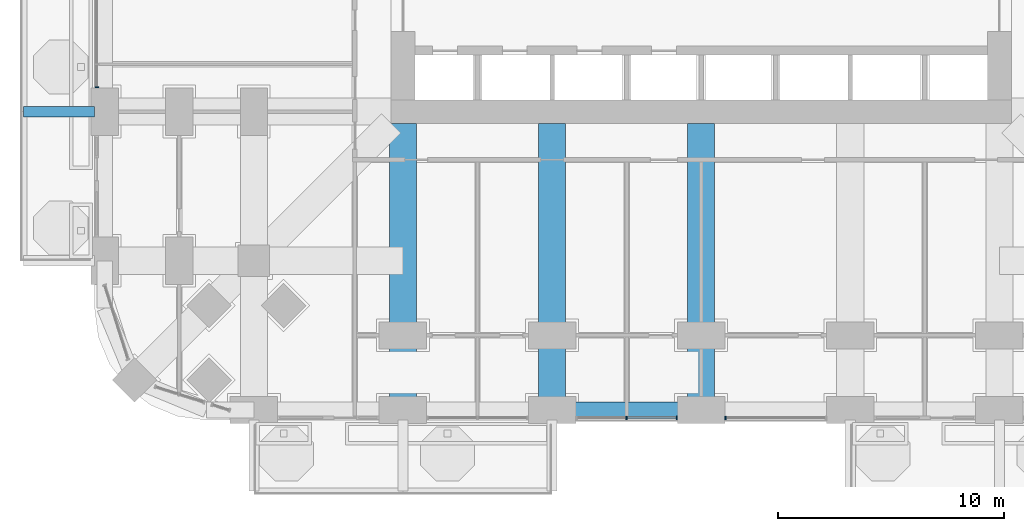
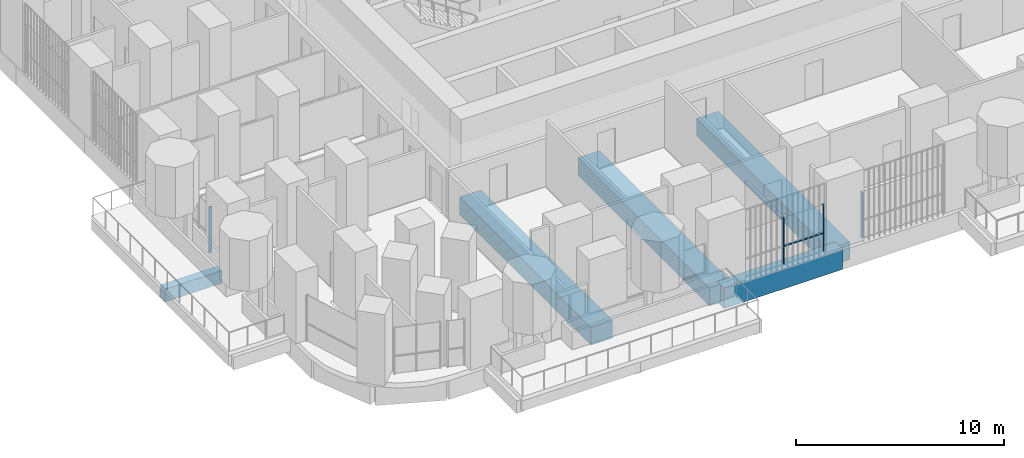
# One storey, part 3 of 27: 5 beams, 5 members, 3 elements without a shape of their own.
"""IFC4 building model written with IfcOpenShell, lengths in metres."""

import ifcopenshell
import ifcopenshell.guid

model = None  # the IFC model being written
_history = None  # IfcOwnerHistory: only IFC2X3 demands one
_inside = {}  # id of a spatial element -> (the spatial element, [elements in it])
_under = {}  # id of a project, library or spatial element -> (it, [spatial elements below it])
_declared = {}  # id of a project -> (the project, [libraries it declares])
_typed = {}  # id of a type object -> (the type object, [elements of that type])
_made_of = {}  # id of a material, layer set ... -> (it, [elements and type objects made of it])


def new_model(schema):
    """Start an empty IFC model of exactly this schema.

    Asked for "IFC4X3", IfcOpenShell would pick the latest addendum, in which some entities
    have other attributes; the version numbers below select the first issue.
    IFC2X3 requires an IfcOwnerHistory on every rooted entity: one is made here for all.
    """
    global model, _history
    if schema == "IFC4X3":
        model = ifcopenshell.file(schema_version=(4, 3, 0, 0))
    else:
        model = ifcopenshell.file(schema=schema)
    _inside.clear()
    _under.clear()
    _declared.clear()
    _typed.clear()
    _made_of.clear()
    _history = None
    if model.schema == "IFC2X3":
        org = make("IfcOrganization", Name="unknown")
        user = make(
            "IfcPersonAndOrganization",
            ThePerson=make("IfcPerson", FamilyName="unknown"),
            TheOrganization=org,
        )
        app = make(
            "IfcApplication",
            ApplicationDeveloper=org,
            Version="unknown",
            ApplicationFullName="unknown",
            ApplicationIdentifier="unknown",
        )
        _history = make(
            "IfcOwnerHistory",
            OwningUser=user,
            OwningApplication=app,
            ChangeAction="ADDED",
            CreationDate=0,
        )
    return model


def make(cls, **values):
    """One entity of the class cls with the attributes given. An attribute that is None is left unset."""
    return model.create_entity(
        cls, **{name: value for name, value in values.items() if value is not None}
    )


def rooted(cls, **values):
    """An entity with a GlobalId (a new one), such as an element, a storey or a relation."""
    return make(cls, GlobalId=ifcopenshell.guid.new(), OwnerHistory=_history, **values)


def si_unit(unit_type, name, prefix=None):
    """IfcSIUnit, for example si_unit("LENGTHUNIT", "METRE", prefix="MILLI")."""
    return make("IfcSIUnit", UnitType=unit_type, Prefix=prefix, Name=name)


def assignment(units):
    """IfcUnitAssignment: the units of a project."""
    return None if units is None else make("IfcUnitAssignment", Units=units)


def point(xyz):
    """IfcCartesianPoint."""
    return None if xyz is None else make("IfcCartesianPoint", Coordinates=xyz)


def direction(xyz):
    """IfcDirection."""
    return None if xyz is None else make("IfcDirection", DirectionRatios=xyz)


def frame(location, z_axis=None, x_axis=None):
    """IfcAxis2Placement3D, a coordinate frame: its origin and axes. An axis left out is left unset."""
    return make(
        "IfcAxis2Placement3D",
        Location=point(location),
        Axis=direction(z_axis),
        RefDirection=direction(x_axis),
    )


def frame_2d(location, x_axis=None):
    """IfcAxis2Placement2D, a coordinate frame in the plane: its origin and x axis."""
    return make(
        "IfcAxis2Placement2D", Location=point(location), RefDirection=direction(x_axis)
    )


def origin():
    """The frame at (0, 0, 0) with its axes left unset."""
    return frame((0.0, 0.0, 0.0))


def origin_2d():
    """The frame at (0, 0) in the plane with its x axis left unset."""
    return frame_2d((0.0, 0.0))


def place(relative_to, where):
    """IfcLocalPlacement: puts the frame where relative to a parent placement (None: the world)."""
    return make(
        "IfcLocalPlacement", PlacementRelTo=relative_to, RelativePlacement=where
    )


def context(
    kind, dimensions, precision=None, world=None, true_north=None, identifier=None
):
    """IfcGeometricRepresentationContext, for example the 3D "Model" context."""
    return make(
        "IfcGeometricRepresentationContext",
        ContextIdentifier=identifier,
        ContextType=kind,
        CoordinateSpaceDimension=dimensions,
        Precision=precision,
        WorldCoordinateSystem=world,
        TrueNorth=true_north,
    )


def subcontext(parent, identifier, kind, view, scale=None):
    """IfcGeometricRepresentationSubContext, for example "Body" below "Model"."""
    return make(
        "IfcGeometricRepresentationSubContext",
        ContextIdentifier=identifier,
        ContextType=kind,
        ParentContext=parent,
        TargetScale=scale,
        TargetView=view,
    )


def project(units=None, contexts=None):
    """IfcProject with its units and contexts."""
    return rooted(
        "IfcProject",
        Name="project",
        RepresentationContexts=contexts,
        UnitsInContext=assignment(units),
    )


def spatial(cls, under=None, at=None, **own):
    """A site, building, storey or space (cls), placed at a placement, below another one or the project."""
    s = rooted(cls, ObjectPlacement=at, **own)
    if under is not None:
        _under.setdefault(under.id(), (under, []))[1].append(s)
    return s


def profile(cls, at=None, kind="AREA", **sizes):
    """A parametric profile (cls). Its sizes go by their IFC names, for example OverallWidth=200.0."""
    return make(cls, ProfileType=kind, Position=at, **sizes)


def rectangle(**sizes):
    """IfcRectangleProfileDef."""
    return profile("IfcRectangleProfileDef", **sizes)


def extrude(swept, where, along, depth):
    """IfcExtrudedAreaSolid: the profile swept, set in the frame where, extruded along a direction by depth."""
    return make(
        "IfcExtrudedAreaSolid",
        SweptArea=swept,
        Position=where,
        ExtrudedDirection=direction(along),
        Depth=depth,
    )


def shape(context_of_items, identifier, shape_type, items):
    """IfcShapeRepresentation: the items that make up one representation, for example the "Body"."""
    return make(
        "IfcShapeRepresentation",
        ContextOfItems=context_of_items,
        RepresentationIdentifier=identifier,
        RepresentationType=shape_type,
        Items=items,
    )


def material(Name=None, Category=None):
    """IfcMaterial."""
    return make("IfcMaterial", Name=Name, Category=Category)


def material_profile(
    of_material, cross_section, Name=None, Category=None, Priority=None
):
    """IfcMaterialProfile: a cross section and its material."""
    return make(
        "IfcMaterialProfile",
        Name=Name,
        Material=of_material,
        Profile=cross_section,
        Priority=Priority,
        Category=Category,
    )


def profile_set(profiles, Name=None, composite=None):
    """IfcMaterialProfileSet."""
    return make(
        "IfcMaterialProfileSet",
        Name=Name,
        MaterialProfiles=profiles,
        CompositeProfile=composite,
    )


def made_of(thing, what):
    """Note that an element or type object is made of a material, layer set ...; save() writes the relation."""
    if what is not None:
        _made_of.setdefault(what.id(), (what, []))[1].append(thing)
    return thing


def type_object(cls, material=None, **own):
    """A type object (cls), such as IfcWallType, which elements share."""
    return made_of(rooted(cls, **own), material)


def element(
    cls,
    number,
    at=None,
    inside=None,
    cuts=None,
    type_object=None,
    material=None,
    context=None,
    identifier="Body",
    shape_type=None,
    held_by="IfcProductDefinitionShape",
    body=None,
    shapes=None,
    **own,
):
    """One element of the class cls, such as IfcWall. Its Tag is "e" and its number.

    at: its placement. inside: the storey or other place that contains it. cuts: it is an
    opening in that element (IfcRelVoidsElement). A single representation is given by context,
    identifier, shape_type and body (its items); several are given by shapes. held_by: the class
    of the entity that holds the representations. save() writes the other relations.
    """
    e = rooted(cls, Tag="e%d" % number, ObjectPlacement=at, **own)
    if body is not None:
        shapes = [shape(context, identifier, shape_type, body)]
    if shapes is not None:
        e.Representation = make(held_by, Representations=shapes)
    if inside is not None:
        _inside.setdefault(inside.id(), (inside, []))[1].append(e)
    if cuts is not None:
        rooted(
            "IfcRelVoidsElement", RelatingBuildingElement=cuts, RelatedOpeningElement=e
        )
    if type_object is not None:
        _typed.setdefault(type_object.id(), (type_object, []))[1].append(e)
    return made_of(e, material)


def aggregate(whole, parts):
    """IfcRelAggregates: a whole, such as a stair, and the parts it consists of."""
    return rooted("IfcRelAggregates", RelatingObject=whole, RelatedObjects=parts)


def save(model, path):
    """Write the relations noted so far, then the file.

    IfcRelAggregates (storeys below a building ...), IfcRelContainedInSpatialStructure (elements
    in a storey), IfcRelDefinesByType, IfcRelAssociatesMaterial and IfcRelDeclares: one each for
    every whole, place, type object, material and project.
    """
    for whole, parts in _under.values():
        aggregate(whole, parts)
    for where, things in _inside.values():
        rooted(
            "IfcRelContainedInSpatialStructure",
            RelatedElements=things,
            RelatingStructure=where,
        )
    for kind, things in _typed.values():
        rooted("IfcRelDefinesByType", RelatedObjects=things, RelatingType=kind)
    for what, things in _made_of.values():
        rooted("IfcRelAssociatesMaterial", RelatedObjects=things, RelatingMaterial=what)
    for by, libraries in _declared.values():
        rooted("IfcRelDeclares", RelatingContext=by, RelatedDefinitions=libraries)
    model.write(path)


model = new_model("IFC4")

# Units and contexts
model_context = context("Model", 3, precision=1e-05, world=origin(), true_north=direction((0.0, 1.0)))
body_context = subcontext(model_context, "Body", "Model", "MODEL_VIEW")
ifc_project = project(units=[si_unit("LENGTHUNIT", "METRE"), si_unit("AREAUNIT", "SQUARE_METRE"), si_unit("VOLUMEUNIT", "CUBIC_METRE"), si_unit("PLANEANGLEUNIT", "RADIAN"), si_unit("MASSUNIT", "GRAM", prefix="KILO")], contexts=[model_context])

# Site, building, storey
site_placement = place(None, origin())
site = spatial("IfcSite", under=ifc_project, at=site_placement, CompositionType="ELEMENT")
building_placement = place(site_placement, origin())
building = spatial("IfcBuilding", under=site, at=building_placement, Name="Cobogo Forest Laboratory Tower", CompositionType="ELEMENT")
storey_placement = place(building_placement, frame((0.0, 0.0, 38.10009765625)))
storey = spatial("IfcBuildingStorey", under=building, at=storey_placement, Name="L08", CompositionType="ELEMENT", Elevation=38.10009765625)

# Beams
ifc_material_1 = material(Name="Concrete HA-40 (C40/50)", Category="concrete")
ifc_material_profile_1 = material_profile(ifc_material_1, rectangle(XDim=0.449951171875, YDim=0.75, at=origin_2d()), Name="RC 450x750")
ifc_profile_set_1 = profile_set([ifc_material_profile_1], Name="Concrete HA-40 (C40/50)")
beam_type_1 = type_object("IfcBeamType", Name="Balcony cantilever beam 450x750", PredefinedType="BEAM", material=ifc_profile_set_1)
beam_1_placement = place(storey_placement, frame((-0.449951171875, 13.199951171875, -0.625), z_axis=(-1.0, 0.0, 0.0), x_axis=(0.0, -1.0, 0.0)))
element("IfcBeam", 1, at=beam_1_placement, inside=storey, type_object=beam_type_1, Name="CB1 BAL-W1-C2 L08", PredefinedType="BEAM", context=body_context, shape_type="SweptSolid", body=[
    extrude(rectangle(XDim=0.449951171875, YDim=0.75, at=origin_2d()), origin(), (0.0, 0.0, 1.0), 3.150146484375),
])
ifc_material_profile_2 = material_profile(ifc_material_1, rectangle(XDim=1.199951171875, YDim=1.050048828125, at=origin_2d()), Name="RC 1200x1050")
ifc_profile_set_2 = profile_set([ifc_material_profile_2], Name="Concrete HA-40 (C40/50)")
beam_type_2 = type_object("IfcBeamType", Name="Laboratory floor wide beam 1200x1050", PredefinedType="BEAM", material=ifc_profile_set_2)
for number, where, z_axis, x_axis, name in (
    (2, (13.199951171875, 12.675048828125, -0.8251953125), (0.0, -1.0, 0.0), (1.0, 0.0, 0.0), "RB1 R-3-S L08"),
    (3, (19.800048828125, 12.675048828125, -0.8251953125), (0.0, -1.0, 0.0), (1.0, 0.0, 0.0), "RB1 R-4-S L08"),
    (4, (26.39990234375, 12.675048828125, -0.8251953125), (0.0, -1.0, 0.0), (1.0, 0.0, 0.0), "RB1 R-5-S L08"),
):
    element("IfcBeam", number, at=place(storey_placement, frame(where, z_axis=z_axis, x_axis=x_axis)), inside=storey, type_object=beam_type_2, Name=name, PredefinedType="BEAM", context=body_context, shape_type="SweptSolid", body=[
        extrude(rectangle(XDim=1.199951171875, YDim=1.050048828125, at=origin_2d()), origin(), (0.0, 0.0, 1.0), 12.675048828125),
    ])

# Curtain wall, members
ifc_material_2 = material(Name="Aluminium curtain wall", Category="aluminium")
curtain_wall_type = type_object("IfcCurtainWallType", Name="CW-1 unitised curtain wall, clear glazing, laboratory floors zones A and B", PredefinedType="USERDEFINED", material=ifc_material_2)
curtain_wall_1_placement = place(storey_placement, origin())
curtain_wall_1 = element("IfcCurtainWall", 5, at=curtain_wall_1_placement, inside=storey, type_object=curtain_wall_type, Name="Curtain wall 03 L08", ObjectType="UNITISED CURTAIN WALL", PredefinedType="USERDEFINED")
ifc_material_3 = material(Name="Aluminium mullion", Category="aluminium")
ifc_material_profile_3 = material_profile(ifc_material_3, rectangle(XDim=0.06005859375, YDim=0.159912109375, at=origin_2d()), Name="AL 60x160")
ifc_profile_set_3 = profile_set([ifc_material_profile_3], Name="Aluminium mullion")
member_type_1 = type_object("IfcMemberType", Name="MU-1 aluminium mullion 60x160", PredefinedType="MULLION", material=ifc_profile_set_3)
member_1_placement = place(storey_placement, frame((23.10009765625, -0.35009765625, 0.0), z_axis=(0.0, 0.0, 1.0), x_axis=(1.0, 0.0, 0.0)))
member_1 = element("IfcMember", 6, at=member_1_placement, type_object=member_type_1, Name="CW-1 mullion 2", PredefinedType="MULLION", context=body_context, shape_type="SweptSolid", body=[
    extrude(rectangle(XDim=0.06005859375, YDim=0.159912109375, at=origin_2d()), origin(), (0.0, 0.0, 1.0), 2.699951171875),
])
member_2_placement = place(storey_placement, frame((25.320068359375, -0.35009765625, 0.0), z_axis=(0.0, 0.0, 1.0), x_axis=(1.0, 0.0, 0.0)))
member_2 = element("IfcMember", 7, at=member_2_placement, type_object=member_type_1, Name="CW-1 mullion 3", PredefinedType="MULLION", context=body_context, shape_type="SweptSolid", body=[
    extrude(rectangle(XDim=0.06005859375, YDim=0.159912109375, at=origin_2d()), origin(), (0.0, 0.0, 1.0), 2.699951171875),
])

# Curtain wall, member
curtain_wall_2_placement = place(storey_placement, origin())
curtain_wall_2 = element("IfcCurtainWall", 8, at=curtain_wall_2_placement, inside=storey, type_object=curtain_wall_type, Name="Curtain wall 04 L08", ObjectType="UNITISED CURTAIN WALL", PredefinedType="USERDEFINED")
member_3_placement = place(storey_placement, frame((27.47998046875, -0.35009765625, 0.0), z_axis=(0.0, 0.0, 1.0), x_axis=(1.0, 0.0, 0.0)))
member_3 = element("IfcMember", 9, at=member_3_placement, type_object=member_type_1, Name="CW-1 mullion 1", PredefinedType="MULLION", context=body_context, shape_type="SweptSolid", body=[
    extrude(rectangle(XDim=0.06005859375, YDim=0.159912109375, at=origin_2d()), origin(), (0.0, 0.0, 1.0), 2.699951171875),
])
aggregate(curtain_wall_2, [member_3])

curtain_wall_3_placement = place(storey_placement, origin())
curtain_wall_3 = element("IfcCurtainWall", 10, at=curtain_wall_3_placement, inside=storey, type_object=curtain_wall_type, Name="Curtain wall 30 L08", ObjectType="UNITISED CURTAIN WALL", PredefinedType="USERDEFINED")
member_4_placement = place(storey_placement, frame((-0.35009765625, 14.280029296875, 0.0), z_axis=(0.0, 0.0, 1.0), x_axis=(0.0, -1.0, 0.0)))
member_4 = element("IfcMember", 11, at=member_4_placement, type_object=member_type_1, Name="CW-1 mullion 3", PredefinedType="MULLION", context=body_context, shape_type="SweptSolid", body=[
    extrude(rectangle(XDim=0.06005859375, YDim=0.159912109375, at=origin_2d()), origin(), (0.0, 0.0, 1.0), 2.699951171875),
])
aggregate(curtain_wall_3, [member_4])

# Beam
ifc_material_profile_4 = material_profile(ifc_material_1, rectangle(XDim=0.699951171875, YDim=1.199951171875, at=origin_2d()), Name="RC 700x1200")
ifc_profile_set_4 = profile_set([ifc_material_profile_4], Name="Concrete HA-40 (C40/50)")
beam_type_3 = type_object("IfcBeamType", Name="Perimeter edge beam 700x1200", PredefinedType="BEAM", material=ifc_profile_set_4)
beam_2_placement = place(storey_placement, frame((19.800048828125, 0.0, -0.900146484375), z_axis=(1.0, 0.0, 0.0), x_axis=(0.0, 1.0, 0.0)))
element("IfcBeam", 12, at=beam_2_placement, inside=storey, type_object=beam_type_3, Name="EB1 E-S3 L08", PredefinedType="BEAM", context=body_context, shape_type="SweptSolid", body=[
    extrude(rectangle(XDim=0.699951171875, YDim=1.199951171875, at=origin_2d()), origin(), (0.0, 0.0, 1.0), 6.599853515625),
])

# Member
ifc_material_4 = material(Name="Aluminium transom", Category="aluminium")
ifc_material_profile_5 = material_profile(ifc_material_4, rectangle(XDim=0.1201171875, YDim=0.06005859375, at=origin_2d()), Name="AL 60x120")
ifc_profile_set_5 = profile_set([ifc_material_profile_5], Name="Aluminium transom")
member_type_2 = type_object("IfcMemberType", Name="TR-1 aluminium transom 60x120", PredefinedType="USERDEFINED", material=ifc_profile_set_5)
member_5_placement = place(storey_placement, frame((23.1298828125, -0.35009765625, 1.0498046875), z_axis=(1.0, 0.0, 0.0), x_axis=(0.0, 1.0, 0.0)))
member_5 = element("IfcMember", 13, at=member_5_placement, type_object=member_type_2, Name="CW-1 transom 2.1", ObjectType="TRANSOM", PredefinedType="USERDEFINED", context=body_context, shape_type="SweptSolid", body=[
    extrude(rectangle(XDim=0.1201171875, YDim=0.06005859375, at=origin_2d()), origin(), (0.0, 0.0, 1.0), 2.16015625),
])

aggregate(curtain_wall_1, [member_1, member_2, member_5])

save(model, "model.ifc")
